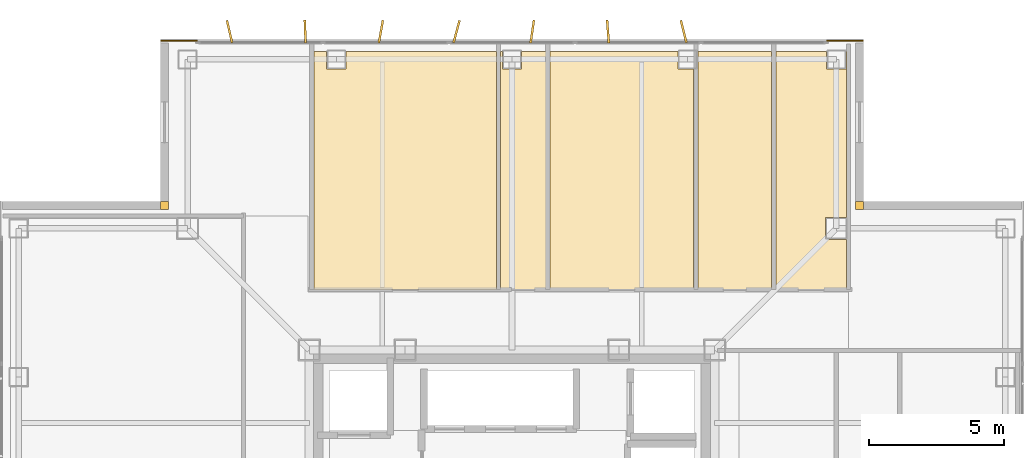
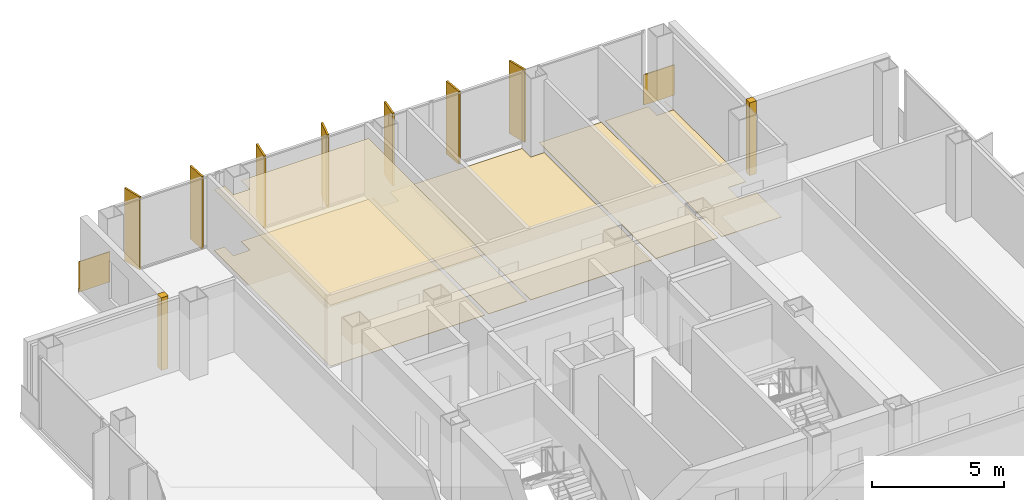
# One storey, part 15 of 15: 10 coverings, 7 shading devices.
"""IFC4 building model written with IfcOpenShell, lengths in metres."""

from ifc_helpers import new_model, si_unit, direction, frame, frame_2d, origin, origin_2d, place, context, subcontext, project, spatial, polyline, rectangle, outline, extrude, material, layer, layer_set, type_object, element, save


model = new_model("IFC4")

# Units and contexts
model_context = context("Model", 3, precision=1e-05, world=origin(), true_north=direction((0.0, 1.0)))
body_context = subcontext(model_context, "Body", "Model", "MODEL_VIEW")
ifc_project = project(units=[si_unit("LENGTHUNIT", "METRE"), si_unit("AREAUNIT", "SQUARE_METRE"), si_unit("VOLUMEUNIT", "CUBIC_METRE"), si_unit("PLANEANGLEUNIT", "RADIAN"), si_unit("MASSUNIT", "GRAM", prefix="KILO")], contexts=[model_context])

# Site, building, storey
site_placement = place(None, origin())
site = spatial("IfcSite", under=ifc_project, at=site_placement, CompositionType="ELEMENT")
building_placement = place(site_placement, origin())
building = spatial("IfcBuilding", under=site, at=building_placement, Name="Trevonay Congress Spire", CompositionType="ELEMENT")
storey_placement = place(building_placement, frame((0.0, 0.0, 250.39990234375)))
storey = spatial("IfcBuildingStorey", under=building, at=storey_placement, Name="L65", CompositionType="ELEMENT", Elevation=250.39990234375)

# Coverings
ifc_material_1 = material(Name="Acoustic Mineral Fibre Board", Category="gypsum")
ifc_layer_1 = layer(ifc_material_1, 0.02490234375, Name="Acoustic Mineral Fibre Board")
ifc_layer_set_1 = layer_set([ifc_layer_1], Name="Acoustic Mineral Fibre Board")
covering_type_1 = type_object("IfcCoveringType", Name="COV-CEIL-ACOUSTIC", PredefinedType="CEILING", material=ifc_layer_set_1)
covering_1_placement = place(storey_placement, frame((0.0, 0.0, 2.81005859375)))
element("IfcCovering", 1, at=covering_1_placement, inside=storey, type_object=covering_type_1, Name="L65 Simultaneous Translation Office acoustic suspended ceiling", PredefinedType="CEILING", context=body_context, shape_type="SweptSolid", body=[
    extrude(outline(polyline([(-0.580078125, 18.550048828125), (-0.580078125, 9.72998046875), (-7.320068359375, 9.72998046875), (-7.320068359375, 18.550048828125), (-6.860107421875, 18.550048828125), (-6.860107421875, 17.889892578125), (-6.139892578125, 17.889892578125), (-6.139892578125, 18.550048828125), (-0.580078125, 18.550048828125)])), origin(), (0.0, 0.0, 1.0), 0.025146484375),
])
ifc_material_2 = material(Name="Polished Granite Floor Tile", Category="masonry")
ifc_layer_2 = layer(ifc_material_2, 0.02001953125, Name="Polished Granite Floor Tile")
ifc_layer_set_2 = layer_set([ifc_layer_2], Name="Polished Granite Floor Tile")
covering_type_2 = type_object("IfcCoveringType", Name="COV-FLOOR-STONE", PredefinedType="FLOORING", material=ifc_layer_set_2)
covering_2_placement = place(storey_placement, origin())
element("IfcCovering", 2, at=covering_2_placement, inside=storey, type_object=covering_type_2, Name="L65 Accessible WC floor finish", PredefinedType="FLOORING", context=body_context, shape_type="SweptSolid", body=[
    extrude(outline(polyline([(1.25, 18.550048828125), (1.25, 9.72998046875), (-0.419921875, 9.72998046875), (-0.419921875, 18.550048828125), (-0.360107421875, 18.550048828125), (-0.360107421875, 17.889892578125), (0.360107421875, 17.889892578125), (0.360107421875, 18.550048828125), (1.25, 18.550048828125)])), origin(), (0.0, 0.0, 1.0), 0.02001953125),
])
covering_3_placement = place(storey_placement, origin())
element("IfcCovering", 3, at=covering_3_placement, inside=storey, type_object=covering_type_2, Name="L65 Floor Supplies and Copy Room floor finish", PredefinedType="FLOORING", context=body_context, shape_type="SweptSolid", body=[
    extrude(outline(polyline([(6.719970703125, 9.72998046875), (1.409912109375, 9.72998046875), (1.409912109375, 18.550048828125), (6.139892578125, 18.550048828125), (6.139892578125, 17.889892578125), (6.719970703125, 17.889892578125), (6.719970703125, 9.72998046875)])), origin(), (0.0, 0.0, 1.0), 0.02001953125),
])
covering_4_placement = place(storey_placement, origin())
element("IfcCovering", 4, at=covering_4_placement, inside=storey, type_object=covering_type_2, Name="L65 Female Restroom WC floor finish", PredefinedType="FLOORING", context=body_context, shape_type="SweptSolid", body=[
    extrude(outline(polyline([(6.8798828125, 9.72998046875), (9.60009765625, 9.72998046875), (9.60009765625, 18.550048828125), (6.8798828125, 18.550048828125), (6.8798828125, 9.72998046875)])), origin(), (0.0, 0.0, 1.0), 0.02001953125),
])
covering_5_placement = place(storey_placement, origin())
element("IfcCovering", 5, at=covering_5_placement, inside=storey, type_object=covering_type_2, Name="L65 Floor Supplies and Copy Room floor finish", PredefinedType="FLOORING", context=body_context, shape_type="SweptSolid", body=[
    extrude(outline(polyline([(12.3701171875, 9.72998046875), (9.760009765625, 9.72998046875), (9.760009765625, 18.550048828125), (11.639892578125, 18.550048828125), (11.639892578125, 17.889892578125), (12.360107421875, 17.889892578125), (12.360107421875, 18.550048828125), (12.3701171875, 18.550048828125), (12.3701171875, 12.409912109375), (11.590087890625, 12.409912109375), (11.590087890625, 11.590087890625), (12.3701171875, 11.590087890625), (12.3701171875, 9.72998046875)])), origin(), (0.0, 0.0, 1.0), 0.02001953125),
])
ifc_material_3 = material(Name="Engineered Oak Flooring", Category="wood")
ifc_layer_3 = layer(ifc_material_3, 0.01806640625, Name="Engineered Oak Flooring")
ifc_layer_set_3 = layer_set([ifc_layer_3], Name="Engineered Oak Flooring")
covering_type_3 = type_object("IfcCoveringType", Name="COV-FLOOR-TIMBER", PredefinedType="FLOORING", material=ifc_layer_set_3)
covering_6_placement = place(storey_placement, origin())
element("IfcCovering", 6, at=covering_6_placement, inside=storey, type_object=covering_type_3, Name="L65 Simultaneous Translation Office floor finish", PredefinedType="FLOORING", context=body_context, shape_type="SweptSolid", body=[
    extrude(outline(polyline([(-0.580078125, 18.550048828125), (-0.580078125, 9.72998046875), (-7.320068359375, 9.72998046875), (-7.320068359375, 18.550048828125), (-6.860107421875, 18.550048828125), (-6.860107421875, 17.889892578125), (-6.139892578125, 17.889892578125), (-6.139892578125, 18.550048828125), (-0.580078125, 18.550048828125)])), origin(), (0.0, 0.0, 1.0), 0.01806640625),
])
ifc_material_4 = material(Name="Pale Anodised Aluminium EN AW-6063-T6", Category="aluminium")
ifc_layer_4 = layer(ifc_material_4, 0.0400390625, Name="Pale Anodised Aluminium EN AW-6063-T6")
ifc_layer_set_4 = layer_set([ifc_layer_4], Name="Pale Anodised Aluminium EN AW-6063-T6")
covering_type_4 = type_object("IfcCoveringType", Name="COV-SPANDREL-PALE-METAL", PredefinedType="CLADDING", material=ifc_layer_set_4)
covering_7_placement = place(storey_placement, origin())
element("IfcCovering", 7, at=covering_7_placement, inside=storey, type_object=covering_type_4, Name="L65 NE re-entrant notch corner closure trim", PredefinedType="CLADDING", context=body_context, shape_type="SweptSolid", body=[
    extrude(outline(polyline([(12.699951171875, 12.699951171875), (13.0, 12.699951171875), (13.0, 13.0), (12.699951171875, 13.0), (12.699951171875, 12.699951171875)])), origin(), (0.0, 0.0, 1.0), 3.360107421875),
])
covering_8_placement = place(storey_placement, frame((11.64990234375, 18.93994140625, -0.14990234375), z_axis=(0.0, 0.0, 1.0), x_axis=(1.0, 0.0, 0.0)))
element("IfcCovering", 8, at=covering_8_placement, inside=storey, type_object=covering_type_4, Name="L65 NE corner pier spandrel cladding 2", PredefinedType="CLADDING", context=body_context, shape_type="SweptSolid", body=[
    extrude(rectangle(XDim=1.35009765625, YDim=0.0400390625, at=frame_2d((0.675048828125, 0.0))), origin(), (0.0, 0.0, 1.0), 1.39990234375),
])
covering_9_placement = place(storey_placement, origin())
element("IfcCovering", 9, at=covering_9_placement, inside=storey, type_object=covering_type_4, Name="L65 NW re-entrant notch corner closure trim", PredefinedType="CLADDING", context=body_context, shape_type="SweptSolid", body=[
    extrude(outline(polyline([(-13.0, 12.699951171875), (-12.699951171875, 12.699951171875), (-12.699951171875, 13.0), (-13.0, 13.0), (-13.0, 12.699951171875)])), origin(), (0.0, 0.0, 1.0), 3.360107421875),
])
covering_10_placement = place(storey_placement, frame((-11.64990234375, 18.93994140625, -0.14990234375), z_axis=(0.0, 0.0, 1.0), x_axis=(-1.0, 0.0, 0.0)))
element("IfcCovering", 10, at=covering_10_placement, inside=storey, type_object=covering_type_4, Name="L65 NW corner pier spandrel cladding 2", PredefinedType="CLADDING", context=body_context, shape_type="SweptSolid", body=[
    extrude(rectangle(XDim=1.35009765625, YDim=0.0400390625, at=frame_2d((0.675048828125, 0.0))), origin(), (0.0, 0.0, 1.0), 1.39990234375),
])

# Shading devices
shading_device_type = type_object("IfcShadingDeviceType", Name="SHD-FIN-Z4-PALE-METAL", PredefinedType="USERDEFINED", material=ifc_material_4)
for number, where, z_axis, x_axis, name in (
    (11, (-10.449951171875, 19.280029296875, 0.0), (0.0, 0.0, 1.0), (0.97440931131, 0.224780991261, 0.0), "L65 N vertical pale-metal solar fin 1"),
    (12, (-7.64990234375, 19.280029296875, 0.0), (0.0, 0.0, 1.0), (0.999235873152, 0.039085416795, 0.0), "L65 N vertical pale-metal solar fin 2"),
    (13, (-4.85009765625, 19.280029296875, 0.0), (0.0, 0.0, 1.0), (0.984195607969, -0.17708474032, 0.0), "L65 N vertical pale-metal solar fin 3"),
    (14, (-2.050048828125, 19.280029296875, 0.0), (0.0, 0.0, 1.0), (0.966106280664, -0.258144638645, 0.0), "L65 N vertical pale-metal solar fin 4"),
    (15, (0.75, 19.280029296875, 0.0), (0.0, 0.0, 1.0), (0.989144474801, -0.146946275799, 0.0), "L65 N vertical pale-metal solar fin 5"),
    (16, (3.550048828125, 19.280029296875, 0.0), (0.0, 0.0, 1.0), (0.997025911491, 0.077067060513, 0.0), "L65 N vertical pale-metal solar fin 6"),
    (17, (6.35009765625, 19.280029296875, 0.0), (0.0, 0.0, 1.0), (0.970464383152, 0.241244442494, 0.0), "L65 N vertical pale-metal solar fin 7"),
):
    element("IfcShadingDevice", number, at=place(storey_placement, frame(where, z_axis=z_axis, x_axis=x_axis)), inside=storey, type_object=shading_device_type, Name=name, ObjectType="SOLAR FIN", PredefinedType="USERDEFINED", context=body_context, shape_type="SweptSolid", body=[
        extrude(rectangle(XDim=0.080078125, YDim=0.85009765625, at=origin_2d()), origin(), (0.0, 0.0, 1.0), 3.360107421875),
    ])

save(model, "model.ifc")
